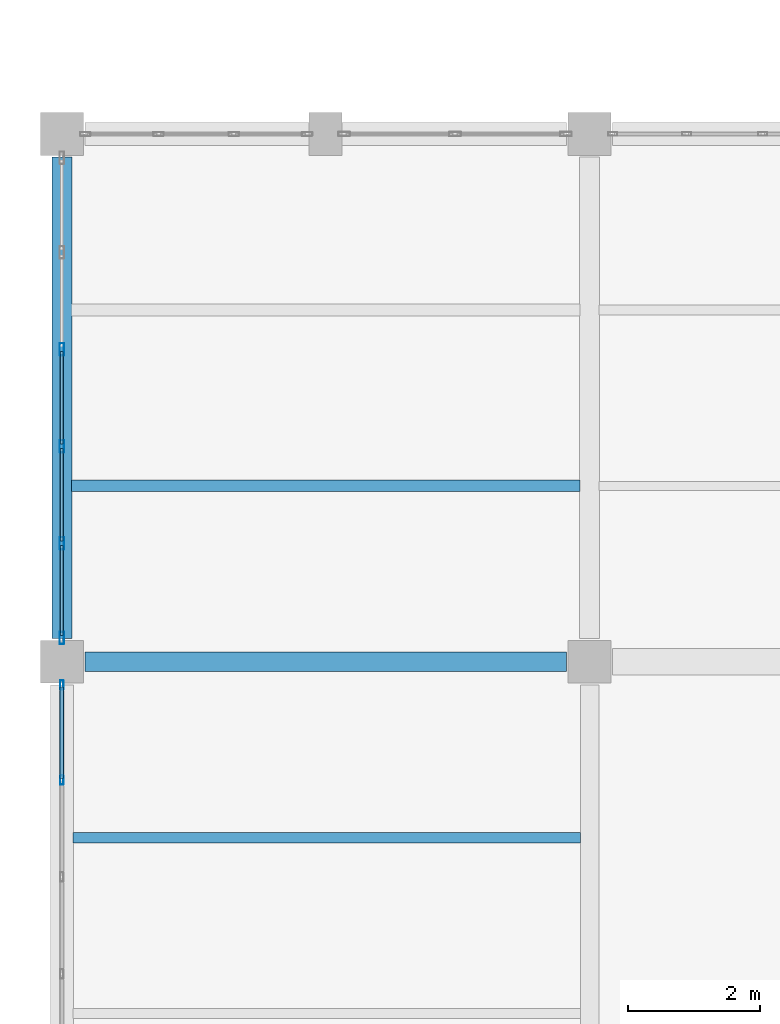
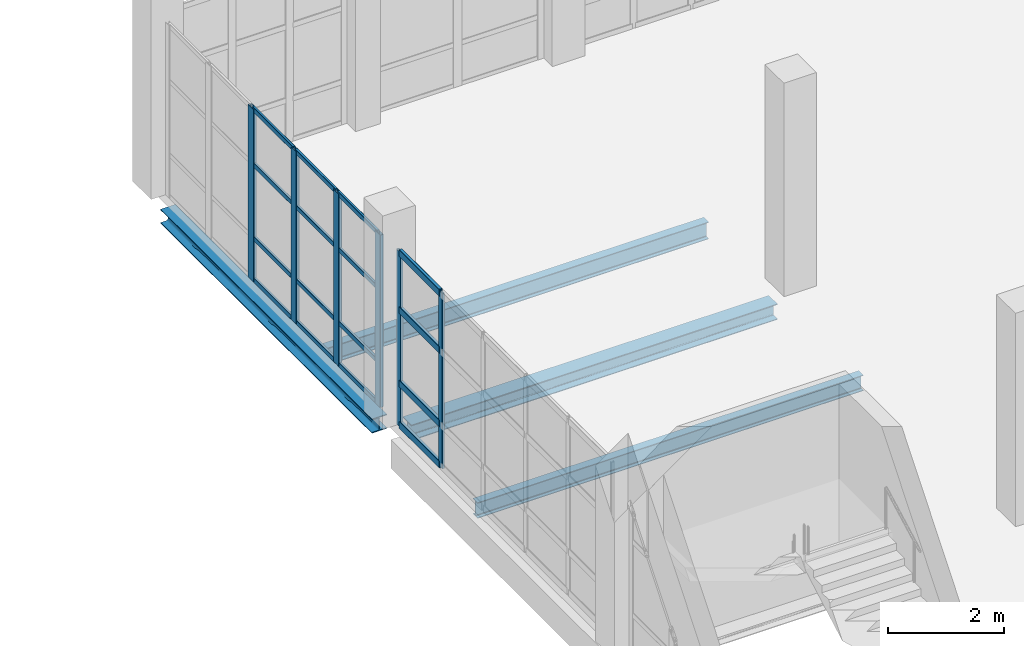
# One storey, part 19 of 183: 22 members, 4 beams, 2 elements without a shape of their own.
"""IFC4 building model written with IfcOpenShell, lengths in metres."""

from ifc_helpers import new_model, si_unit, direction, frame, origin, origin_2d, place, context, subcontext, project, spatial, hollow_rectangle, i_section, extrude, material, material_profile, profile_set, type_object, element, aggregate, save


model = new_model("IFC4")

# Units and contexts
model_context = context("Model", 3, precision=1e-05, world=origin(), true_north=direction((0.0, 1.0)))
body_context = subcontext(model_context, "Body", "Model", "MODEL_VIEW")
ifc_project = project(units=[si_unit("LENGTHUNIT", "METRE"), si_unit("AREAUNIT", "SQUARE_METRE"), si_unit("VOLUMEUNIT", "CUBIC_METRE"), si_unit("PLANEANGLEUNIT", "RADIAN"), si_unit("MASSUNIT", "GRAM", prefix="KILO")], contexts=[model_context])

# Site, building, storey
site_placement = place(None, origin())
site = spatial("IfcSite", under=ifc_project, at=site_placement, CompositionType="ELEMENT")
building_placement = place(site_placement, origin())
building = spatial("IfcBuilding", under=site, at=building_placement, Name="Luwemba Playhouse", CompositionType="ELEMENT")
storey_placement = place(building_placement, frame((0.0, 0.0, 4.800048828125)))
storey = spatial("IfcBuildingStorey", under=building, at=storey_placement, Name="L01", CompositionType="ELEMENT", Elevation=4.800048828125)

# Beams
ifc_material_1 = material(Name="Steel S355", Category="steel")
ifc_material_profile_1 = material_profile(ifc_material_1, i_section(OverallWidth=0.300048828125, OverallDepth=0.330078125, WebThickness=0.009521484375, FlangeThickness=0.0166015625, FilletRadius=0.027099609375, at=origin_2d()))
ifc_profile_set_1 = profile_set([ifc_material_profile_1], Name="Steel S355")
beam_type_1 = type_object("IfcBeamType", Name="BM-SB04", PredefinedType="BEAM", material=ifc_profile_set_1)
beam_1_placement = place(storey_placement, frame((4.35009765625, 19.0, -0.4150390625), z_axis=(1.0, 0.0, 0.0), x_axis=(0.0, 1.0, 0.0)))
element("IfcBeam", 1, at=beam_1_placement, inside=storey, type_object=beam_type_1, Name="L01 grid girder 0482", PredefinedType="BEAM", context=body_context, shape_type="SweptSolid", body=[
    extrude(i_section(OverallWidth=0.300048828125, OverallDepth=0.330078125, WebThickness=0.009521484375, FlangeThickness=0.0166015625, FilletRadius=0.027099609375, at=origin_2d()), origin(), (0.0, 0.0, 1.0), 7.2998046875),
])
ifc_material_profile_2 = material_profile(ifc_material_1, i_section(OverallWidth=0.159912109375, OverallDepth=0.330078125, WebThickness=0.007568359375, FlangeThickness=0.011474609375, FilletRadius=0.01806640625, at=origin_2d()))
ifc_profile_set_2 = profile_set([ifc_material_profile_2], Name="Steel S355")
beam_type_2 = type_object("IfcBeamType", Name="BM-SJ06", PredefinedType="JOIST", material=ifc_profile_set_2)
beam_2_placement = place(storey_placement, frame((4.1708984375, 16.333251953125, -0.4150390625), z_axis=(1.0, 0.0, 0.0), x_axis=(0.0, 1.0, 0.0)))
element("IfcBeam", 2, at=beam_2_placement, inside=storey, type_object=beam_type_2, Name="L01 composite floor joist 0277", PredefinedType="JOIST", context=body_context, shape_type="SweptSolid", body=[
    extrude(i_section(OverallWidth=0.159912109375, OverallDepth=0.330078125, WebThickness=0.007568359375, FlangeThickness=0.011474609375, FilletRadius=0.01806640625, at=origin_2d()), origin(), (0.0, 0.0, 1.0), 7.693115234375),
])
ifc_material_profile_3 = material_profile(ifc_material_1, i_section(OverallWidth=0.169921875, OverallDepth=0.360107421875, WebThickness=0.008056640625, FlangeThickness=0.0126953125, FilletRadius=0.01806640625, at=origin_2d()))
ifc_profile_set_3 = profile_set([ifc_material_profile_3], Name="Steel S355")
beam_type_3 = type_object("IfcBeamType", Name="BM-SJ07", PredefinedType="JOIST", material=ifc_profile_set_3)
beam_3_placement = place(storey_placement, frame((4.14599609375, 21.666748046875, -0.429931640625), z_axis=(1.0, 0.0, 0.0), x_axis=(0.0, 1.0, 0.0)))
element("IfcBeam", 3, at=beam_3_placement, inside=storey, type_object=beam_type_3, Name="L01 composite floor joist 0278", PredefinedType="JOIST", context=body_context, shape_type="SweptSolid", body=[
    extrude(i_section(OverallWidth=0.169921875, OverallDepth=0.360107421875, WebThickness=0.008056640625, FlangeThickness=0.0126953125, FilletRadius=0.01806640625, at=origin_2d()), origin(), (0.0, 0.0, 1.0), 7.7080078125),
])
ifc_material_profile_4 = material_profile(ifc_material_1, i_section(OverallWidth=0.300048828125, OverallDepth=0.300048828125, WebThickness=0.010986328125, FlangeThickness=0.01904296875, FilletRadius=0.027099609375, at=origin_2d()))
ifc_profile_set_4 = profile_set([ifc_material_profile_4], Name="Steel S355")
beam_type_4 = type_object("IfcBeamType", Name="BM-SSP1", PredefinedType="SPANDREL", material=ifc_profile_set_4)
beam_4_placement = place(storey_placement, frame((4.0, 19.35009765625, -0.400146484375), z_axis=(0.0, 1.0, 0.0), x_axis=(-1.0, 0.0, 0.0)))
element("IfcBeam", 4, at=beam_4_placement, inside=storey, type_object=beam_type_4, Name="L01 transverse girder 0498", PredefinedType="SPANDREL", context=body_context, shape_type="SweptSolid", body=[
    extrude(i_section(OverallWidth=0.300048828125, OverallDepth=0.300048828125, WebThickness=0.010986328125, FlangeThickness=0.01904296875, FilletRadius=0.027099609375, at=origin_2d()), origin(), (0.0, 0.0, 1.0), 7.2998046875),
])

# Curtain wall, members
ifc_material_2 = material(Name="Solar-control double glazing", Category="glass")
curtain_wall_type_1 = type_object("IfcCurtainWallType", Name="CW-CW90", PredefinedType="USERDEFINED", material=ifc_material_2)
curtain_wall_1_placement = place(storey_placement, origin())
curtain_wall_1 = element("IfcCurtainWall", 5, at=curtain_wall_1_placement, inside=storey, type_object=curtain_wall_type_1, Name="L01 V5W unitised curtain wall 120", ObjectType="UNITISED GLAZING", PredefinedType="USERDEFINED")
ifc_material_3 = material(Name="Aluminium 6063-T6", Category="aluminium")
ifc_material_profile_5 = material_profile(ifc_material_3, hollow_rectangle(XDim=0.054931640625, YDim=0.139892578125, WallThickness=0.00390625, InnerFilletRadius=0.006103515625, OuterFilletRadius=0.010009765625, at=origin_2d()))
ifc_profile_set_5 = profile_set([ifc_material_profile_5], Name="Aluminium 6063-T6")
member_type_1 = type_object("IfcMemberType", Name="CWM-M3", PredefinedType="MULLION", material=ifc_profile_set_5)
member_1_placement = place(storey_placement, frame((4.0, 17.205078125, 0.0), z_axis=(0.0, 0.0, 1.0), x_axis=(-1.0, 0.0, 0.0)))
member_1 = element("IfcMember", 6, at=member_1_placement, type_object=member_type_1, Name="CW90 mullion 5", PredefinedType="MULLION", context=body_context, shape_type="SweptSolid", body=[
    extrude(hollow_rectangle(XDim=0.054931640625, YDim=0.139892578125, WallThickness=0.00390625, InnerFilletRadius=0.006103515625, OuterFilletRadius=0.010009765625, at=origin_2d()), origin(), (0.0, 0.0, 1.0), 3.68505859375),
])
member_2_placement = place(storey_placement, frame((4.0, 18.6474609375, 0.0), z_axis=(0.0, 0.0, 1.0), x_axis=(-1.0, 0.0, 0.0)))
member_2 = element("IfcMember", 7, at=member_2_placement, type_object=member_type_1, Name="CW90 mullion 6", PredefinedType="MULLION", context=body_context, shape_type="SweptSolid", body=[
    extrude(hollow_rectangle(XDim=0.054931640625, YDim=0.139892578125, WallThickness=0.00390625, InnerFilletRadius=0.006103515625, OuterFilletRadius=0.010009765625, at=origin_2d()), origin(), (0.0, 0.0, 1.0), 3.68505859375),
])

curtain_wall_type_2 = type_object("IfcCurtainWallType", Name="CW-CW91", PredefinedType="USERDEFINED", material=ifc_material_2)
curtain_wall_2_placement = place(storey_placement, origin())
curtain_wall_2 = element("IfcCurtainWall", 8, at=curtain_wall_2_placement, inside=storey, type_object=curtain_wall_type_2, Name="L01 V5W unitised curtain wall 121", ObjectType="UNITISED GLAZING", PredefinedType="USERDEFINED")
ifc_material_profile_6 = material_profile(ifc_material_3, hollow_rectangle(XDim=0.070068359375, YDim=0.18994140625, WallThickness=0.0048828125, InnerFilletRadius=0.007568359375, OuterFilletRadius=0.012451171875, at=origin_2d()))
ifc_profile_set_6 = profile_set([ifc_material_profile_6], Name="Aluminium 6063-T6")
member_type_2 = type_object("IfcMemberType", Name="CWM-M4", PredefinedType="MULLION", material=ifc_profile_set_6)
member_3_placement = place(storey_placement, frame((4.0, 19.360107421875, 0.0), z_axis=(0.0, 0.0, 1.0), x_axis=(-1.0, 0.0, 0.0)))
member_3 = element("IfcMember", 9, at=member_3_placement, type_object=member_type_2, Name="CW91 mullion 1", PredefinedType="MULLION", context=body_context, shape_type="SweptSolid", body=[
    extrude(hollow_rectangle(XDim=0.070068359375, YDim=0.18994140625, WallThickness=0.0048828125, InnerFilletRadius=0.007568359375, OuterFilletRadius=0.012451171875, at=origin_2d()), origin(), (0.0, 0.0, 1.0), 3.635009765625),
])
member_4_placement = place(storey_placement, frame((4.0, 20.794921875, 0.0), z_axis=(0.0, 0.0, 1.0), x_axis=(-1.0, 0.0, 0.0)))
member_4 = element("IfcMember", 10, at=member_4_placement, type_object=member_type_2, Name="CW91 mullion 2", PredefinedType="MULLION", context=body_context, shape_type="SweptSolid", body=[
    extrude(hollow_rectangle(XDim=0.070068359375, YDim=0.18994140625, WallThickness=0.0048828125, InnerFilletRadius=0.007568359375, OuterFilletRadius=0.012451171875, at=origin_2d()), origin(), (0.0, 0.0, 1.0), 3.635009765625),
])
member_5_placement = place(storey_placement, frame((4.0, 22.264892578125, 0.0), z_axis=(0.0, 0.0, 1.0), x_axis=(-1.0, 0.0, 0.0)))
member_5 = element("IfcMember", 11, at=member_5_placement, type_object=member_type_2, Name="CW91 mullion 3", PredefinedType="MULLION", context=body_context, shape_type="SweptSolid", body=[
    extrude(hollow_rectangle(XDim=0.070068359375, YDim=0.18994140625, WallThickness=0.0048828125, InnerFilletRadius=0.007568359375, OuterFilletRadius=0.012451171875, at=origin_2d()), origin(), (0.0, 0.0, 1.0), 3.635009765625),
])
member_6_placement = place(storey_placement, frame((4.0, 23.735107421875, 0.0), z_axis=(0.0, 0.0, 1.0), x_axis=(-1.0, 0.0, 0.0)))
member_6 = element("IfcMember", 12, at=member_6_placement, type_object=member_type_2, Name="CW91 mullion 4", PredefinedType="MULLION", context=body_context, shape_type="SweptSolid", body=[
    extrude(hollow_rectangle(XDim=0.070068359375, YDim=0.18994140625, WallThickness=0.0048828125, InnerFilletRadius=0.007568359375, OuterFilletRadius=0.012451171875, at=origin_2d()), origin(), (0.0, 0.0, 1.0), 3.635009765625),
])

# Member
ifc_material_profile_7 = material_profile(ifc_material_3, hollow_rectangle(XDim=0.06494140625, YDim=0.14990234375, WallThickness=0.00390625, InnerFilletRadius=0.006103515625, OuterFilletRadius=0.010009765625, at=origin_2d()))
ifc_profile_set_7 = profile_set([ifc_material_profile_7], Name="Aluminium 6063-T6")
member_type_3 = type_object("IfcMemberType", Name="CWT-T3", PredefinedType="USERDEFINED", material=ifc_profile_set_7)
member_7_placement = place(storey_placement, frame((4.0, 17.232421875, 0.032470703125), z_axis=(0.0, 1.0, 0.0), x_axis=(-1.0, 0.0, 0.0)))
member_7 = element("IfcMember", 13, at=member_7_placement, type_object=member_type_3, Name="CW90 transom 5.1", ObjectType="TRANSOM", PredefinedType="USERDEFINED", context=body_context, shape_type="SweptSolid", body=[
    extrude(hollow_rectangle(XDim=0.06494140625, YDim=0.14990234375, WallThickness=0.00390625, InnerFilletRadius=0.006103515625, OuterFilletRadius=0.010009765625, at=origin_2d()), origin(), (0.0, 0.0, 1.0), 1.3876953125),
])

member_8_placement = place(storey_placement, frame((4.0, 17.232421875, 0.89990234375), z_axis=(0.0, 1.0, 0.0), x_axis=(-1.0, 0.0, 0.0)))
member_8 = element("IfcMember", 14, at=member_8_placement, type_object=member_type_3, Name="CW90 transom 5.2", ObjectType="TRANSOM", PredefinedType="USERDEFINED", context=body_context, shape_type="SweptSolid", body=[
    extrude(hollow_rectangle(XDim=0.06494140625, YDim=0.14990234375, WallThickness=0.00390625, InnerFilletRadius=0.006103515625, OuterFilletRadius=0.010009765625, at=origin_2d()), origin(), (0.0, 0.0, 1.0), 1.3876953125),
])

member_9_placement = place(storey_placement, frame((4.0, 17.232421875, 2.449951171875), z_axis=(0.0, 1.0, 0.0), x_axis=(-1.0, 0.0, 0.0)))
member_9 = element("IfcMember", 15, at=member_9_placement, type_object=member_type_3, Name="CW90 transom 5.3", ObjectType="TRANSOM", PredefinedType="USERDEFINED", context=body_context, shape_type="SweptSolid", body=[
    extrude(hollow_rectangle(XDim=0.06494140625, YDim=0.14990234375, WallThickness=0.00390625, InnerFilletRadius=0.006103515625, OuterFilletRadius=0.010009765625, at=origin_2d()), origin(), (0.0, 0.0, 1.0), 1.3876953125),
])

member_10_placement = place(storey_placement, frame((4.0, 17.232421875, 3.65234375), z_axis=(0.0, 1.0, 0.0), x_axis=(-1.0, 0.0, 0.0)))
member_10 = element("IfcMember", 16, at=member_10_placement, type_object=member_type_3, Name="CW90 transom 5.4", ObjectType="TRANSOM", PredefinedType="USERDEFINED", context=body_context, shape_type="SweptSolid", body=[
    extrude(hollow_rectangle(XDim=0.06494140625, YDim=0.14990234375, WallThickness=0.00390625, InnerFilletRadius=0.006103515625, OuterFilletRadius=0.010009765625, at=origin_2d()), origin(), (0.0, 0.0, 1.0), 1.3876953125),
])

aggregate(curtain_wall_1, [member_1, member_2, member_7, member_8, member_9, member_10])

ifc_material_profile_8 = material_profile(ifc_material_3, hollow_rectangle(XDim=0.050048828125, YDim=0.10009765625, WallThickness=0.00341796875, InnerFilletRadius=0.00537109375, OuterFilletRadius=0.0087890625, at=origin_2d()))
ifc_profile_set_8 = profile_set([ifc_material_profile_8], Name="Aluminium 6063-T6")
member_type_4 = type_object("IfcMemberType", Name="CWT-T4", PredefinedType="USERDEFINED", material=ifc_profile_set_8)
member_11_placement = place(storey_placement, frame((4.0, 19.39501953125, 0.02490234375), z_axis=(0.0, 1.0, 0.0), x_axis=(-1.0, 0.0, 0.0)))
member_11 = element("IfcMember", 17, at=member_11_placement, type_object=member_type_4, Name="CW91 transom 1.1", ObjectType="TRANSOM", PredefinedType="USERDEFINED", context=body_context, shape_type="SweptSolid", body=[
    extrude(hollow_rectangle(XDim=0.050048828125, YDim=0.10009765625, WallThickness=0.00341796875, InnerFilletRadius=0.00537109375, OuterFilletRadius=0.0087890625, at=origin_2d()), origin(), (0.0, 0.0, 1.0), 1.364990234375),
])

member_12_placement = place(storey_placement, frame((4.0, 19.39501953125, 0.89990234375), z_axis=(0.0, 1.0, 0.0), x_axis=(-1.0, 0.0, 0.0)))
member_12 = element("IfcMember", 18, at=member_12_placement, type_object=member_type_4, Name="CW91 transom 1.2", ObjectType="TRANSOM", PredefinedType="USERDEFINED", context=body_context, shape_type="SweptSolid", body=[
    extrude(hollow_rectangle(XDim=0.050048828125, YDim=0.10009765625, WallThickness=0.00341796875, InnerFilletRadius=0.00537109375, OuterFilletRadius=0.0087890625, at=origin_2d()), origin(), (0.0, 0.0, 1.0), 1.364990234375),
])

member_13_placement = place(storey_placement, frame((4.0, 19.39501953125, 2.449951171875), z_axis=(0.0, 1.0, 0.0), x_axis=(-1.0, 0.0, 0.0)))
member_13 = element("IfcMember", 19, at=member_13_placement, type_object=member_type_4, Name="CW91 transom 1.3", ObjectType="TRANSOM", PredefinedType="USERDEFINED", context=body_context, shape_type="SweptSolid", body=[
    extrude(hollow_rectangle(XDim=0.050048828125, YDim=0.10009765625, WallThickness=0.00341796875, InnerFilletRadius=0.00537109375, OuterFilletRadius=0.0087890625, at=origin_2d()), origin(), (0.0, 0.0, 1.0), 1.364990234375),
])

member_14_placement = place(storey_placement, frame((4.0, 19.39501953125, 3.60986328125), z_axis=(0.0, 1.0, 0.0), x_axis=(-1.0, 0.0, 0.0)))
member_14 = element("IfcMember", 20, at=member_14_placement, type_object=member_type_4, Name="CW91 transom 1.4", ObjectType="TRANSOM", PredefinedType="USERDEFINED", context=body_context, shape_type="SweptSolid", body=[
    extrude(hollow_rectangle(XDim=0.050048828125, YDim=0.10009765625, WallThickness=0.00341796875, InnerFilletRadius=0.00537109375, OuterFilletRadius=0.0087890625, at=origin_2d()), origin(), (0.0, 0.0, 1.0), 1.364990234375),
])

member_15_placement = place(storey_placement, frame((4.0, 20.830078125, 0.02490234375), z_axis=(0.0, 1.0, 0.0), x_axis=(-1.0, 0.0, 0.0)))
member_15 = element("IfcMember", 21, at=member_15_placement, type_object=member_type_4, Name="CW91 transom 2.1", ObjectType="TRANSOM", PredefinedType="USERDEFINED", context=body_context, shape_type="SweptSolid", body=[
    extrude(hollow_rectangle(XDim=0.050048828125, YDim=0.10009765625, WallThickness=0.00341796875, InnerFilletRadius=0.00537109375, OuterFilletRadius=0.0087890625, at=origin_2d()), origin(), (0.0, 0.0, 1.0), 1.39990234375),
])

member_16_placement = place(storey_placement, frame((4.0, 20.830078125, 0.89990234375), z_axis=(0.0, 1.0, 0.0), x_axis=(-1.0, 0.0, 0.0)))
member_16 = element("IfcMember", 22, at=member_16_placement, type_object=member_type_4, Name="CW91 transom 2.2", ObjectType="TRANSOM", PredefinedType="USERDEFINED", context=body_context, shape_type="SweptSolid", body=[
    extrude(hollow_rectangle(XDim=0.050048828125, YDim=0.10009765625, WallThickness=0.00341796875, InnerFilletRadius=0.00537109375, OuterFilletRadius=0.0087890625, at=origin_2d()), origin(), (0.0, 0.0, 1.0), 1.39990234375),
])

member_17_placement = place(storey_placement, frame((4.0, 20.830078125, 2.449951171875), z_axis=(0.0, 1.0, 0.0), x_axis=(-1.0, 0.0, 0.0)))
member_17 = element("IfcMember", 23, at=member_17_placement, type_object=member_type_4, Name="CW91 transom 2.3", ObjectType="TRANSOM", PredefinedType="USERDEFINED", context=body_context, shape_type="SweptSolid", body=[
    extrude(hollow_rectangle(XDim=0.050048828125, YDim=0.10009765625, WallThickness=0.00341796875, InnerFilletRadius=0.00537109375, OuterFilletRadius=0.0087890625, at=origin_2d()), origin(), (0.0, 0.0, 1.0), 1.39990234375),
])

member_18_placement = place(storey_placement, frame((4.0, 20.830078125, 3.60986328125), z_axis=(0.0, 1.0, 0.0), x_axis=(-1.0, 0.0, 0.0)))
member_18 = element("IfcMember", 24, at=member_18_placement, type_object=member_type_4, Name="CW91 transom 2.4", ObjectType="TRANSOM", PredefinedType="USERDEFINED", context=body_context, shape_type="SweptSolid", body=[
    extrude(hollow_rectangle(XDim=0.050048828125, YDim=0.10009765625, WallThickness=0.00341796875, InnerFilletRadius=0.00537109375, OuterFilletRadius=0.0087890625, at=origin_2d()), origin(), (0.0, 0.0, 1.0), 1.39990234375),
])

member_19_placement = place(storey_placement, frame((4.0, 22.300048828125, 0.02490234375), z_axis=(0.0, 1.0, 0.0), x_axis=(-1.0, 0.0, 0.0)))
member_19 = element("IfcMember", 25, at=member_19_placement, type_object=member_type_4, Name="CW91 transom 3.1", ObjectType="TRANSOM", PredefinedType="USERDEFINED", context=body_context, shape_type="SweptSolid", body=[
    extrude(hollow_rectangle(XDim=0.050048828125, YDim=0.10009765625, WallThickness=0.00341796875, InnerFilletRadius=0.00537109375, OuterFilletRadius=0.0087890625, at=origin_2d()), origin(), (0.0, 0.0, 1.0), 1.39990234375),
])

member_20_placement = place(storey_placement, frame((4.0, 22.300048828125, 0.89990234375), z_axis=(0.0, 1.0, 0.0), x_axis=(-1.0, 0.0, 0.0)))
member_20 = element("IfcMember", 26, at=member_20_placement, type_object=member_type_4, Name="CW91 transom 3.2", ObjectType="TRANSOM", PredefinedType="USERDEFINED", context=body_context, shape_type="SweptSolid", body=[
    extrude(hollow_rectangle(XDim=0.050048828125, YDim=0.10009765625, WallThickness=0.00341796875, InnerFilletRadius=0.00537109375, OuterFilletRadius=0.0087890625, at=origin_2d()), origin(), (0.0, 0.0, 1.0), 1.39990234375),
])

member_21_placement = place(storey_placement, frame((4.0, 22.300048828125, 2.449951171875), z_axis=(0.0, 1.0, 0.0), x_axis=(-1.0, 0.0, 0.0)))
member_21 = element("IfcMember", 27, at=member_21_placement, type_object=member_type_4, Name="CW91 transom 3.3", ObjectType="TRANSOM", PredefinedType="USERDEFINED", context=body_context, shape_type="SweptSolid", body=[
    extrude(hollow_rectangle(XDim=0.050048828125, YDim=0.10009765625, WallThickness=0.00341796875, InnerFilletRadius=0.00537109375, OuterFilletRadius=0.0087890625, at=origin_2d()), origin(), (0.0, 0.0, 1.0), 1.39990234375),
])

member_22_placement = place(storey_placement, frame((4.0, 22.300048828125, 3.60986328125), z_axis=(0.0, 1.0, 0.0), x_axis=(-1.0, 0.0, 0.0)))
member_22 = element("IfcMember", 28, at=member_22_placement, type_object=member_type_4, Name="CW91 transom 3.4", ObjectType="TRANSOM", PredefinedType="USERDEFINED", context=body_context, shape_type="SweptSolid", body=[
    extrude(hollow_rectangle(XDim=0.050048828125, YDim=0.10009765625, WallThickness=0.00341796875, InnerFilletRadius=0.00537109375, OuterFilletRadius=0.0087890625, at=origin_2d()), origin(), (0.0, 0.0, 1.0), 1.39990234375),
])

aggregate(curtain_wall_2, [member_3, member_4, member_5, member_6, member_11, member_12, member_13, member_14, member_15, member_16, member_17, member_18, member_19, member_20, member_21, member_22])

save(model, "model.ifc")
